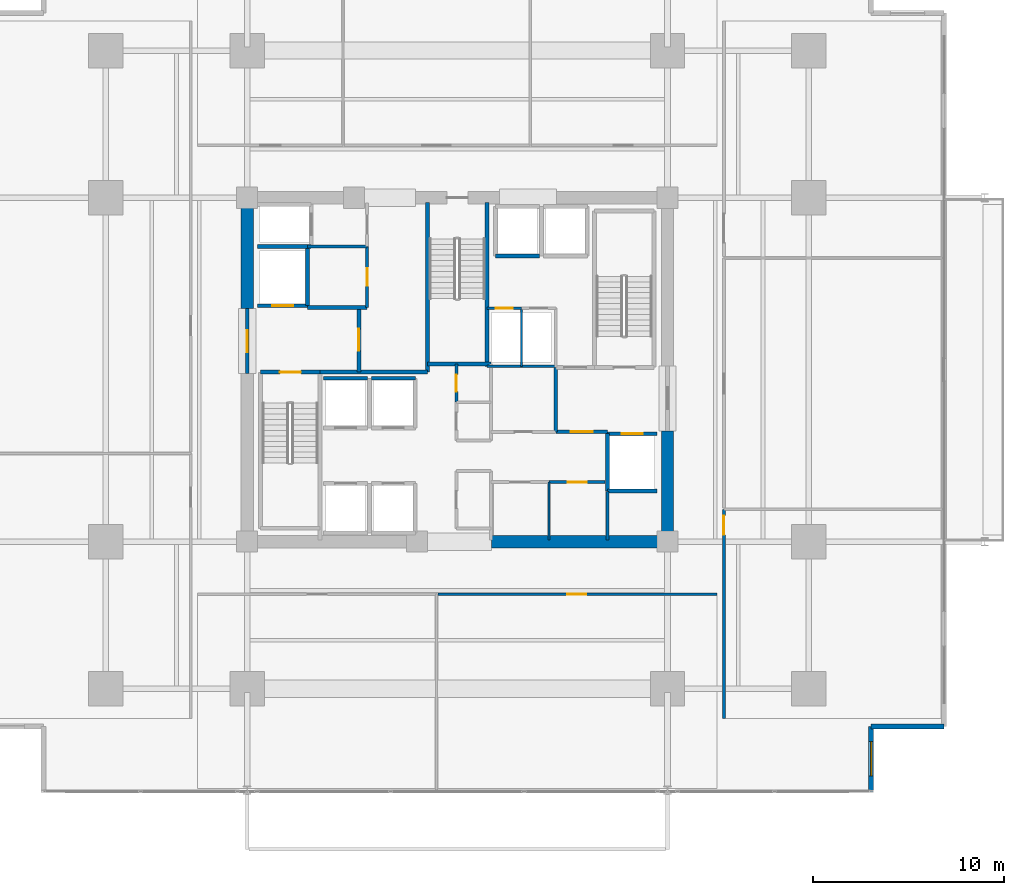
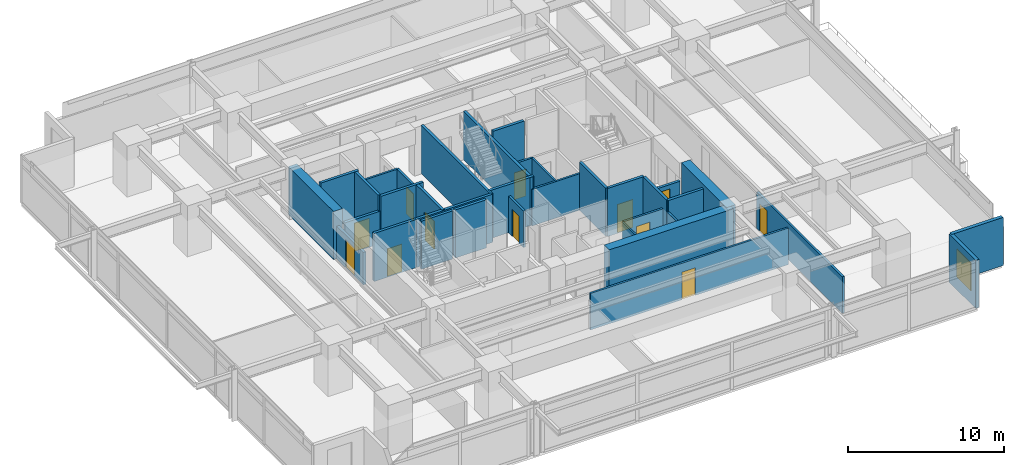
# One storey, part 15 of 21: 35 walls, 12 doors, 1 window, 13 openings.
"""IFC4 building model written with IfcOpenShell, lengths in metres."""

from ifc_helpers import new_model, si_unit, direction, frame, frame_2d, origin, place, context, subcontext, project, spatial, rectangle, extrude, material, layer, layer_set, type_object, element, fill, save


model = new_model("IFC4")

# Units and contexts
model_context = context("Model", 3, precision=1e-05, world=origin(), true_north=direction((0.0, 1.0)))
body_context = subcontext(model_context, "Body", "Model", "MODEL_VIEW")
ifc_project = project(units=[si_unit("LENGTHUNIT", "METRE"), si_unit("AREAUNIT", "SQUARE_METRE"), si_unit("VOLUMEUNIT", "CUBIC_METRE"), si_unit("PLANEANGLEUNIT", "RADIAN"), si_unit("MASSUNIT", "GRAM", prefix="KILO")], contexts=[model_context])

# Site, building, storey
site_placement = place(None, origin())
site = spatial("IfcSite", under=ifc_project, at=site_placement, CompositionType="ELEMENT")
building_placement = place(site_placement, origin())
building = spatial("IfcBuilding", under=site, at=building_placement, Name="Kovane Verandah Tower", CompositionType="ELEMENT")
storey_placement = place(building_placement, frame((0.0, 0.0, 47.60009765625)))
storey = spatial("IfcBuildingStorey", under=building, at=storey_placement, Name="L10", CompositionType="ELEMENT", Elevation=47.60009765625)

# Wall, opening, door
ifc_material_1 = material(Name="Fire-Rated Gypsum Stud Partition", Category="gypsum")
ifc_layer_1 = layer(ifc_material_1, 0.14990234375)
ifc_layer_set_1 = layer_set([ifc_layer_1], Name="Fire-Rated Gypsum Stud Partition")
wall_type_1 = type_object("IfcWallType", Name="WL-COR-150", PredefinedType="PARTITIONING", material=ifc_layer_set_1)
wall_1_placement = place(storey_placement, frame((39.949951171875, 25.800048828125, 0.0), z_axis=(0.0, 0.0, 1.0), x_axis=(0.0, 1.0, 0.0)))
wall_1 = element("IfcWall", 1, at=wall_1_placement, inside=storey, type_object=wall_type_1, Name="L10 Electrical Riser Room Partition", PredefinedType="PARTITIONING", context=body_context, shape_type="SweptSolid", body=[
    extrude(rectangle(XDim=2.0, YDim=0.14990234375, at=frame_2d((1.0, 0.0))), origin(), (0.0, 0.0, 1.0), 2.849853515625),
])
opening_1_placement = place(wall_1_placement, frame((0.56005859375, 0.0, 0.0)))
opening_1 = element("IfcOpeningElement", 2, at=opening_1_placement, cuts=wall_1, Name="Opening DR-L10-025", PredefinedType="OPENING", context=body_context, shape_type="SweptSolid", body=[
    extrude(rectangle(XDim=0.8798828125, YDim=2.10009765625, at=frame_2d((0.43994140625, 1.050048828125))), frame((0.0, 0.074951171875, 0.0), z_axis=(0.0, -1.0, 0.0), x_axis=(1.0, 0.0, 0.0)), (0.0, 0.0, 1.0), 0.14990234375),
])
ifc_material_2 = material(Name="Fire-Rated Steel Riser Access Door", Category="steel")
door_type_1 = type_object("IfcDoorType", Name="DR-RISER-880", OperationType="SINGLE_SWING_LEFT", PredefinedType="DOOR", material=ifc_material_2)
door_1_placement = place(opening_1_placement, origin())
door_1 = element("IfcDoor", 3, at=door_1_placement, inside=storey, type_object=door_type_1, Name="L10 Electrical Riser Room Door", OperationType="SINGLE_SWING_RIGHT", OverallHeight=2.10009765625, OverallWidth=0.8798828125, PredefinedType="DOOR", context=body_context, shape_type="SweptSolid", body=[
    extrude(rectangle(XDim=0.8798828125, YDim=2.10009765625, at=frame_2d((0.43994140625, 1.050048828125))), frame((0.0, 0.02490234375, 0.0), z_axis=(0.0, -1.0, 0.0), x_axis=(1.0, 0.0, 0.0)), (0.0, 0.0, 1.0), 0.050048828125),
])
fill(opening_1, door_1)

# Wall
wall_2_placement = place(storey_placement, frame((32.14990234375, 33.949951171875, 0.0), z_axis=(0.0, 0.0, 1.0), x_axis=(1.0, 0.0, 0.0)))
element("IfcWall", 4, at=wall_2_placement, inside=storey, type_object=wall_type_1, Name="L10 Goods Lift Lobby South Wall", PredefinedType="PARTITIONING", context=body_context, shape_type="SweptSolid", body=[
    extrude(rectangle(XDim=3.130126953125, YDim=0.14990234375, at=frame_2d((1.56494140625, 0.0))), origin(), (0.0, 0.0, 1.0), 2.849853515625),
])

# Wall, opening, door
wall_3_placement = place(storey_placement, frame((35.280029296875, 30.75, 0.0), z_axis=(0.0, 0.0, 1.0), x_axis=(0.0, 1.0, 0.0)))
wall_3 = element("IfcWall", 5, at=wall_3_placement, inside=storey, type_object=wall_type_1, Name="L10 Accessible Unisex Toilet Partition", PredefinedType="PARTITIONING", context=body_context, shape_type="SweptSolid", body=[
    extrude(rectangle(XDim=3.199951171875, YDim=0.14990234375, at=frame_2d((1.60009765625, 0.0))), origin(), (0.0, 0.0, 1.0), 2.849853515625),
])
opening_2_placement = place(wall_3_placement, frame((1.14990234375, 0.0, 0.0)))
opening_2 = element("IfcOpeningElement", 6, at=opening_2_placement, cuts=wall_3, Name="Opening DR-L10-026", PredefinedType="OPENING", context=body_context, shape_type="SweptSolid", body=[
    extrude(rectangle(XDim=0.89990234375, YDim=2.10009765625, at=frame_2d((0.449951171875, 1.050048828125))), frame((0.0, 0.074951171875, 0.0), z_axis=(0.0, -1.0, 0.0), x_axis=(1.0, 0.0, 0.0)), (0.0, 0.0, 1.0), 0.14990234375),
])
ifc_material_3 = material(Name="Moisture-Resistant Laminate Washroom Door", Category="wood")
door_type_2 = type_object("IfcDoorType", Name="DR-WC-900", OperationType="SINGLE_SWING_LEFT", PredefinedType="DOOR", material=ifc_material_3)
door_2_placement = place(opening_2_placement, origin())
door_2 = element("IfcDoor", 7, at=door_2_placement, inside=storey, type_object=door_type_2, Name="L10 Accessible Unisex Toilet Door", OperationType="SINGLE_SWING_RIGHT", OverallHeight=2.10009765625, OverallWidth=0.89990234375, PredefinedType="DOOR", context=body_context, shape_type="SweptSolid", body=[
    extrude(rectangle(XDim=0.89990234375, YDim=2.10009765625, at=frame_2d((0.449951171875, 1.050048828125))), frame((0.0, 0.02490234375, 0.0), z_axis=(0.0, -1.0, 0.0), x_axis=(1.0, 0.0, 0.0)), (0.0, 0.0, 1.0), 0.050048828125),
])
fill(opening_2, door_2)

# Walls
wall_4_placement = place(storey_placement, frame((41.56005859375, 27.679931640625, 0.0), z_axis=(0.0, 0.0, 1.0), x_axis=(1.0, 0.0, 0.0)))
element("IfcWall", 8, at=wall_4_placement, inside=storey, type_object=wall_type_1, Name="L10 East Core Service Riser South Wall", PredefinedType="PARTITIONING", context=body_context, shape_type="SweptSolid", body=[
    extrude(rectangle(XDim=3.58984375, YDim=0.14990234375, at=frame_2d((1.794921875, 0.0))), origin(), (0.0, 0.0, 1.0), 2.849853515625),
])
wall_5_placement = place(storey_placement, frame((47.85009765625, 18.60009765625, 0.0), z_axis=(0.0, 0.0, 1.0), x_axis=(0.0, 1.0, 0.0)))
element("IfcWall", 9, at=wall_5_placement, inside=storey, type_object=wall_type_1, Name="L10 East Core Support East Wall", PredefinedType="PARTITIONING", context=body_context, shape_type="SweptSolid", body=[
    extrude(rectangle(XDim=2.539794921875, YDim=0.14990234375, at=frame_2d((1.27001953125, 0.0))), origin(), (0.0, 0.0, 1.0), 2.849853515625),
])

# Wall, opening, door
wall_6_placement = place(storey_placement, frame((44.800048828125, 21.6201171875, 0.0), z_axis=(0.0, 0.0, 1.0), x_axis=(1.0, 0.0, 0.0)))
wall_6 = element("IfcWall", 10, at=wall_6_placement, inside=storey, type_object=wall_type_1, Name="L10 East IT Server Room Partition", PredefinedType="PARTITIONING", context=body_context, shape_type="SweptSolid", body=[
    extrude(rectangle(XDim=2.93994140625, YDim=0.14990234375, at=frame_2d((1.469970703125, 0.0))), origin(), (0.0, 0.0, 1.0), 2.849853515625),
])
opening_3_placement = place(wall_6_placement, frame((0.969970703125, 0.0, 0.0)))
opening_3 = element("IfcOpeningElement", 11, at=opening_3_placement, cuts=wall_6, Name="Opening DR-L10-016", PredefinedType="OPENING", context=body_context, shape_type="SweptSolid", body=[
    extrude(rectangle(XDim=1.0, YDim=2.14990234375, at=frame_2d((0.5, 1.074951171875))), frame((0.0, 0.074951171875, 0.0), z_axis=(0.0, -1.0, 0.0), x_axis=(1.0, 0.0, 0.0)), (0.0, 0.0, 1.0), 0.14990234375),
])
ifc_material_4 = material(Name="FSC Spotted-Gum Timber Fire-Rated Office Door", Category="wood")
door_type_3 = type_object("IfcDoorType", Name="DR-OFF-1000", OperationType="SINGLE_SWING_LEFT", PredefinedType="DOOR", material=ifc_material_4)
door_3_placement = place(opening_3_placement, origin())
door_3 = element("IfcDoor", 12, at=door_3_placement, inside=storey, type_object=door_type_3, Name="L10 East IT Server Room Door", OperationType="SINGLE_SWING_RIGHT", OverallHeight=2.14990234375, OverallWidth=1.0, PredefinedType="DOOR", context=body_context, shape_type="SweptSolid", body=[
    extrude(rectangle(XDim=1.0, YDim=2.14990234375, at=frame_2d((0.5, 1.074951171875))), frame((0.0, 0.02490234375, 0.0), z_axis=(0.0, -1.0, 0.0), x_axis=(1.0, 0.0, 0.0)), (0.0, 0.0, 1.0), 0.050048828125),
])
fill(opening_3, door_3)

wall_7_placement = place(storey_placement, frame((41.56005859375, 30.719970703125, 0.0), z_axis=(0.0, 0.0, 1.0), x_axis=(1.0, 0.0, 0.0)))
wall_7 = element("IfcWall", 13, at=wall_7_placement, inside=storey, type_object=wall_type_1, Name="L10 Chilled Water Riser Room Partition", PredefinedType="PARTITIONING", context=body_context, shape_type="SweptSolid", body=[
    extrude(rectangle(XDim=1.800048828125, YDim=0.14990234375, at=frame_2d((0.89990234375, 0.0))), origin(), (0.0, 0.0, 1.0), 2.849853515625),
])
opening_4_placement = place(wall_7_placement, frame((0.4599609375, 0.0, 0.0)))
opening_4 = element("IfcOpeningElement", 14, at=opening_4_placement, cuts=wall_7, Name="Opening DR-L10-018", PredefinedType="OPENING", context=body_context, shape_type="SweptSolid", body=[
    extrude(rectangle(XDim=0.8798828125, YDim=2.10009765625, at=frame_2d((0.43994140625, 1.050048828125))), frame((0.0, 0.074951171875, 0.0), z_axis=(0.0, -1.0, 0.0), x_axis=(1.0, 0.0, 0.0)), (0.0, 0.0, 1.0), 0.14990234375),
])
door_4_placement = place(opening_4_placement, origin())
door_4 = element("IfcDoor", 15, at=door_4_placement, inside=storey, type_object=door_type_1, Name="L10 Chilled Water Riser Room Door", OperationType="SINGLE_SWING_RIGHT", OverallHeight=2.10009765625, OverallWidth=0.8798828125, PredefinedType="DOOR", context=body_context, shape_type="SweptSolid", body=[
    extrude(rectangle(XDim=0.8798828125, YDim=2.10009765625, at=frame_2d((0.43994140625, 1.050048828125))), frame((0.0, 0.02490234375, 0.0), z_axis=(0.0, -1.0, 0.0), x_axis=(1.0, 0.0, 0.0)), (0.0, 0.0, 1.0), 0.050048828125),
])
fill(opening_4, door_4)

wall_8_placement = place(storey_placement, frame((38.98193359375, 15.75, 0.0), z_axis=(0.0, 0.0, 1.0), x_axis=(1.0, 0.0, 0.0)))
wall_8 = element("IfcWall", 16, at=wall_8_placement, inside=storey, type_object=wall_type_1, Name="L10 Breakout Pantry S2 Corridor Partition", PredefinedType="PARTITIONING", context=body_context, shape_type="SweptSolid", body=[
    extrude(rectangle(XDim=14.6181640625, YDim=0.14990234375, at=frame_2d((7.30908203125, 0.0))), origin(), (0.0, 0.0, 1.0), 2.849853515625),
])
opening_5_placement = place(wall_8_placement, frame((6.759033203125, 0.0, 0.0)))
opening_5 = element("IfcOpeningElement", 17, at=opening_5_placement, cuts=wall_8, Name="Opening DR-L10-024", PredefinedType="OPENING", context=body_context, shape_type="SweptSolid", body=[
    extrude(rectangle(XDim=1.0, YDim=2.14990234375, at=frame_2d((0.5, 1.074951171875))), frame((0.0, 0.074951171875, 0.0), z_axis=(0.0, -1.0, 0.0), x_axis=(1.0, 0.0, 0.0)), (0.0, 0.0, 1.0), 0.14990234375),
])
door_5_placement = place(opening_5_placement, origin())
door_5 = element("IfcDoor", 18, at=door_5_placement, inside=storey, type_object=door_type_3, Name="L10 Breakout Pantry S2 Entrance Door", OperationType="SINGLE_SWING_RIGHT", OverallHeight=2.14990234375, OverallWidth=1.0, PredefinedType="DOOR", context=body_context, shape_type="SweptSolid", body=[
    extrude(rectangle(XDim=1.0, YDim=2.14990234375, at=frame_2d((0.5, 1.074951171875))), frame((0.0, 0.02490234375, 0.0), z_axis=(0.0, -1.0, 0.0), x_axis=(1.0, 0.0, 0.0)), (0.0, 0.0, 1.0), 0.050048828125),
])
fill(opening_5, door_5)

wall_9_placement = place(storey_placement, frame((53.949951171875, 9.23876953125, 0.0), z_axis=(0.0, 0.0, 1.0), x_axis=(0.0, 1.0, 0.0)))
wall_9 = element("IfcWall", 19, at=wall_9_placement, inside=storey, type_object=wall_type_1, Name="L10 Open Plan Office E1 Corridor Partition", PredefinedType="PARTITIONING", context=body_context, shape_type="SweptSolid", body=[
    extrude(rectangle(XDim=10.956787109375, YDim=0.14990234375, at=frame_2d((5.478515625, 0.0))), origin(), (0.0, 0.0, 1.0), 2.849853515625),
])
opening_6_placement = place(wall_9_placement, frame((9.6240234375, 0.0, 0.0)))
opening_6 = element("IfcOpeningElement", 20, at=opening_6_placement, cuts=wall_9, Name="Opening DR-L10-012", PredefinedType="OPENING", context=body_context, shape_type="SweptSolid", body=[
    extrude(rectangle(XDim=1.0, YDim=2.14990234375, at=frame_2d((0.5, 1.074951171875))), frame((0.0, 0.074951171875, 0.0), z_axis=(0.0, -1.0, 0.0), x_axis=(1.0, 0.0, 0.0)), (0.0, 0.0, 1.0), 0.14990234375),
])
door_6_placement = place(opening_6_placement, origin())
door_6 = element("IfcDoor", 21, at=door_6_placement, inside=storey, type_object=door_type_3, Name="L10 Open Plan Office E1 Entrance Door", OperationType="SINGLE_SWING_LEFT", OverallHeight=2.14990234375, OverallWidth=1.0, PredefinedType="DOOR", context=body_context, shape_type="SweptSolid", body=[
    extrude(rectangle(XDim=1.0, YDim=2.14990234375, at=frame_2d((0.5, 1.074951171875))), frame((0.0, 0.02490234375, 0.0), z_axis=(0.0, -1.0, 0.0), x_axis=(1.0, 0.0, 0.0)), (0.0, 0.0, 1.0), 0.050048828125),
])
fill(opening_6, door_6)

# Walls
ifc_material_5 = material(Name="Concrete C80/95", Category="concrete")
ifc_layer_2 = layer(ifc_material_5, 0.64990234375)
ifc_layer_set_2 = layer_set([ifc_layer_2], Name="Concrete C80/95")
wall_type_2 = type_object("IfcWallType", Name="WL-CORE-650", PredefinedType="SHEAR", material=ifc_layer_set_2)
wall_10_placement = place(storey_placement, frame((41.800048828125, 18.5, 0.0), z_axis=(0.0, 0.0, 1.0), x_axis=(1.0, 0.0, 0.0)))
element("IfcWall", 22, at=wall_10_placement, inside=storey, type_object=wall_type_2, Name="L10 Core Shear Wall CS-2", PredefinedType="SHEAR", context=body_context, shape_type="SweptSolid", body=[
    extrude(rectangle(XDim=9.199951171875, YDim=0.64990234375, at=frame_2d((4.60009765625, 0.0))), origin(), (0.0, 0.0, 1.0), 3.760009765625),
])
for number, where, z_axis, x_axis, name in (
    (23, (29.0, 30.699951171875, 0.0), (0.0, 0.0, 1.0), (0.0, 1.0, 0.0), "L10 Core Shear Wall CW-2"),
    (24, (51.0, 18.5, 0.0), (0.0, 0.0, 1.0), (0.0, 1.0, 0.0), "L10 Core Shear Wall CE-1"),
):
    element("IfcWall", number, at=place(storey_placement, frame(where, z_axis=z_axis, x_axis=x_axis)), inside=storey, type_object=wall_type_2, Name=name, PredefinedType="SHEAR", context=body_context, shape_type="SweptSolid", body=[
        extrude(rectangle(XDim=5.800048828125, YDim=0.64990234375, at=frame_2d((2.89990234375, 0.0))), origin(), (0.0, 0.0, 1.0), 3.760009765625),
    ])

# Wall, opening, door
ifc_material_6 = material(Name="Concrete C45/55 Fire Wall", Category="concrete")
ifc_layer_3 = layer(ifc_material_6, 0.199951171875)
ifc_layer_set_3 = layer_set([ifc_layer_3], Name="Concrete C45/55 Fire Wall")
wall_type_3 = type_object("IfcWallType", Name="WL-FFL-200", PredefinedType="PARTITIONING", material=ifc_layer_set_3)
wall_11_placement = place(storey_placement, frame((34.85009765625, 27.3798828125, 0.0), z_axis=(0.0, 0.0, 1.0), x_axis=(0.0, 1.0, 0.0)))
wall_11 = element("IfcWall", 25, at=wall_11_placement, inside=storey, type_object=wall_type_3, Name="W-L10-FFLW-E", PredefinedType="PARTITIONING", context=body_context, shape_type="SweptSolid", body=[
    extrude(rectangle(XDim=3.3701171875, YDim=0.199951171875, at=frame_2d((1.68505859375, 0.0))), origin(), (0.0, 0.0, 1.0), 3.760009765625),
])
opening_7_placement = place(wall_11_placement, frame((1.110107421875, 0.0, 0.0)))
opening_7 = element("IfcOpeningElement", 26, at=opening_7_placement, cuts=wall_11, Name="Opening DR-L10-006", PredefinedType="OPENING", context=body_context, shape_type="SweptSolid", body=[
    extrude(rectangle(XDim=1.14990234375, YDim=2.199951171875, at=frame_2d((0.574951171875, 1.10009765625))), frame((0.0, 0.10009765625, 0.0), z_axis=(0.0, -1.0, 0.0), x_axis=(1.0, 0.0, 0.0)), (0.0, 0.0, 1.0), 0.199951171875),
])
ifc_material_7 = material(Name="Smoke-Sealed Firefighting Lobby Door", Category="steel")
door_type_4 = type_object("IfcDoorType", Name="DR-FFL-1150", OperationType="SINGLE_SWING_LEFT", PredefinedType="DOOR", material=ifc_material_7)
door_7_placement = place(opening_7_placement, origin())
door_7 = element("IfcDoor", 27, at=door_7_placement, inside=storey, type_object=door_type_4, Name="L10 West Firefighting Lobby Inner Door", OperationType="SINGLE_SWING_LEFT", OverallHeight=2.199951171875, OverallWidth=1.14990234375, PredefinedType="DOOR", context=body_context, shape_type="SweptSolid", body=[
    extrude(rectangle(XDim=1.14990234375, YDim=2.199951171875, at=frame_2d((0.574951171875, 1.10009765625))), frame((0.0, 0.02490234375, 0.0), z_axis=(0.0, -1.0, 0.0), x_axis=(1.0, 0.0, 0.0)), (0.0, 0.0, 1.0), 0.050048828125),
])
fill(opening_7, door_7)

wall_12_placement = place(storey_placement, frame((29.0, 27.300048828125, 0.0), z_axis=(0.0, 0.0, 1.0), x_axis=(0.0, 1.0, 0.0)))
wall_12 = element("IfcWall", 28, at=wall_12_placement, inside=storey, type_object=wall_type_3, Name="W-L10-FFLW-OUT", PredefinedType="PARTITIONING", context=body_context, shape_type="SweptSolid", body=[
    extrude(rectangle(XDim=3.39990234375, YDim=0.199951171875, at=frame_2d((1.699951171875, 0.0))), origin(), (0.0, 0.0, 1.0), 2.539794921875),
])
opening_8_placement = place(wall_12_placement, frame((1.125, 0.0, 0.0)))
opening_8 = element("IfcOpeningElement", 29, at=opening_8_placement, cuts=wall_12, Name="Opening DR-L10-007", PredefinedType="OPENING", context=body_context, shape_type="SweptSolid", body=[
    extrude(rectangle(XDim=1.14990234375, YDim=2.199951171875, at=frame_2d((0.574951171875, 1.10009765625))), frame((0.0, 0.10009765625, 0.0), z_axis=(0.0, -1.0, 0.0), x_axis=(1.0, 0.0, 0.0)), (0.0, 0.0, 1.0), 0.199951171875),
])
door_8_placement = place(opening_8_placement, origin())
door_8 = element("IfcDoor", 30, at=door_8_placement, inside=storey, type_object=door_type_4, Name="L10 West Firefighting Lobby Corridor Door", OperationType="SINGLE_SWING_RIGHT", OverallHeight=2.199951171875, OverallWidth=1.14990234375, PredefinedType="DOOR", context=body_context, shape_type="SweptSolid", body=[
    extrude(rectangle(XDim=1.14990234375, YDim=2.199951171875, at=frame_2d((0.574951171875, 1.10009765625))), frame((0.0, 0.02490234375, 0.0), z_axis=(0.0, -1.0, 0.0), x_axis=(1.0, 0.0, 0.0)), (0.0, 0.0, 1.0), 0.050048828125),
])
fill(opening_8, door_8)

# Walls
wall_13_placement = place(storey_placement, frame((32.820068359375, 27.3798828125, 0.0), z_axis=(0.0, 0.0, 1.0), x_axis=(1.0, 0.0, 0.0)))
element("IfcWall", 31, at=wall_13_placement, inside=storey, type_object=wall_type_3, Name="L10 West Firefighting Lobby South Fire Wall", PredefinedType="PARTITIONING", context=body_context, shape_type="SweptSolid", body=[
    extrude(rectangle(XDim=5.619873046875, YDim=0.199951171875, at=frame_2d((2.81005859375, 0.0))), origin(), (0.0, 0.0, 1.0), 3.760009765625),
])
wall_14_placement = place(storey_placement, frame((32.14990234375, 30.75, 0.0), z_axis=(0.0, 0.0, 1.0), x_axis=(1.0, 0.0, 0.0)))
element("IfcWall", 32, at=wall_14_placement, inside=storey, type_object=wall_type_3, Name="L10 West Firefighting Lobby North Fire Wall", PredefinedType="PARTITIONING", context=body_context, shape_type="SweptSolid", body=[
    extrude(rectangle(XDim=3.130126953125, YDim=0.199951171875, at=frame_2d((1.56494140625, 0.0))), origin(), (0.0, 0.0, 1.0), 3.760009765625),
])
wall_15_placement = place(storey_placement, frame((45.14990234375, 24.25, 0.0), z_axis=(0.0, 0.0, 1.0), x_axis=(0.0, 1.0, 0.0)))
element("IfcWall", 33, at=wall_15_placement, inside=storey, type_object=wall_type_3, Name="L10 East Firefighting Lobby West Fire Wall", PredefinedType="PARTITIONING", context=body_context, shape_type="SweptSolid", body=[
    extrude(rectangle(XDim=3.3701171875, YDim=0.199951171875, at=frame_2d((1.68505859375, 0.0))), origin(), (0.0, 0.0, 1.0), 3.760009765625),
])

# Wall, opening, door
wall_16_placement = place(storey_placement, frame((45.14990234375, 24.25, 0.0), z_axis=(0.0, 0.0, 1.0), x_axis=(1.0, 0.0, 0.0)))
wall_16 = element("IfcWall", 34, at=wall_16_placement, inside=storey, type_object=wall_type_3, Name="W-L10-FFLE-S", PredefinedType="PARTITIONING", context=body_context, shape_type="SweptSolid", body=[
    extrude(rectangle(XDim=2.7001953125, YDim=0.199951171875, at=frame_2d((1.35009765625, 0.0))), origin(), (0.0, 0.0, 1.0), 3.760009765625),
])
opening_9_placement = place(wall_16_placement, frame((0.77490234375, 0.0, 0.0)))
opening_9 = element("IfcOpeningElement", 35, at=opening_9_placement, cuts=wall_16, Name="Opening DR-L10-003", PredefinedType="OPENING", context=body_context, shape_type="SweptSolid", body=[
    extrude(rectangle(XDim=1.14990234375, YDim=2.199951171875, at=frame_2d((0.574951171875, 1.10009765625))), frame((0.0, 0.10009765625, 0.0), z_axis=(0.0, -1.0, 0.0), x_axis=(1.0, 0.0, 0.0)), (0.0, 0.0, 1.0), 0.199951171875),
])
door_9_placement = place(opening_9_placement, origin())
door_9 = element("IfcDoor", 36, at=door_9_placement, inside=storey, type_object=door_type_4, Name="L10 East Firefighting Lobby Inner Door", OperationType="SINGLE_SWING_RIGHT", OverallHeight=2.199951171875, OverallWidth=1.14990234375, PredefinedType="DOOR", context=body_context, shape_type="SweptSolid", body=[
    extrude(rectangle(XDim=1.14990234375, YDim=2.199951171875, at=frame_2d((0.574951171875, 1.10009765625))), frame((0.0, 0.02490234375, 0.0), z_axis=(0.0, -1.0, 0.0), x_axis=(1.0, 0.0, 0.0)), (0.0, 0.0, 1.0), 0.050048828125),
])
fill(opening_9, door_9)

ifc_material_8 = material(Name="Concrete C45/55 Lift Shaft Wall", Category="concrete")
ifc_layer_4 = layer(ifc_material_8, 0.199951171875)
ifc_layer_set_4 = layer_set([ifc_layer_4], Name="Concrete C45/55 Lift Shaft Wall")
wall_type_4 = type_object("IfcWallType", Name="WL-LIFT-200", PredefinedType="SOLIDWALL", material=ifc_layer_set_4)
wall_17_placement = place(storey_placement, frame((29.550048828125, 30.85009765625, 0.0), z_axis=(0.0, 0.0, 1.0), x_axis=(1.0, 0.0, 0.0)))
wall_17 = element("IfcWall", 37, at=wall_17_placement, inside=storey, type_object=wall_type_4, Name="L10 Lift FL-01 S Shaft Wall", PredefinedType="SOLIDWALL", context=body_context, shape_type="SweptSolid", body=[
    extrude(rectangle(XDim=2.599853515625, YDim=0.199951171875, at=frame_2d((1.2998046875, 0.0))), origin(), (0.0, 0.0, 1.0), 2.539794921875),
])
opening_10_placement = place(wall_17_placement, frame((0.75, 0.0, 0.0)))
opening_10 = element("IfcOpeningElement", 38, at=opening_10_placement, cuts=wall_17, Name="Opening LD-L10-001", PredefinedType="OPENING", context=body_context, shape_type="SweptSolid", body=[
    extrude(rectangle(XDim=1.10009765625, YDim=2.199951171875, at=frame_2d((0.550048828125, 1.10009765625))), frame((0.0, 0.10009765625, 0.0), z_axis=(0.0, -1.0, 0.0), x_axis=(1.0, 0.0, 0.0)), (0.0, 0.0, 1.0), 0.199951171875),
])
ifc_material_9 = material(Name="Brushed Stainless Steel Sliding Lift Landing Door", Category="steel")
door_type_5 = type_object("IfcDoorType", Name="DR-LIFT-1100", OperationType="SLIDING_TO_RIGHT", PredefinedType="DOOR", material=ifc_material_9)
door_10_placement = place(opening_10_placement, origin())
door_10 = element("IfcDoor", 39, at=door_10_placement, inside=storey, type_object=door_type_5, Name="L10 Lift FL-01 Sliding Landing Door", OperationType="SLIDING_TO_RIGHT", OverallHeight=2.199951171875, OverallWidth=1.10009765625, PredefinedType="DOOR", context=body_context, shape_type="SweptSolid", body=[
    extrude(rectangle(XDim=1.10009765625, YDim=2.199951171875, at=frame_2d((0.550048828125, 1.10009765625))), frame((0.0, 0.02490234375, 0.0), z_axis=(0.0, -1.0, 0.0), x_axis=(1.0, 0.0, 0.0)), (0.0, 0.0, 1.0), 0.050048828125),
])
fill(opening_10, door_10)

# Walls
wall_18_placement = place(storey_placement, frame((29.550048828125, 33.949951171875, 0.0), z_axis=(0.0, 0.0, 1.0), x_axis=(1.0, 0.0, 0.0)))
element("IfcWall", 40, at=wall_18_placement, inside=storey, type_object=wall_type_4, Name="L10 Lift FL-01 and GL-01 Shared Shaft Wall", PredefinedType="SOLIDWALL", context=body_context, shape_type="SweptSolid", body=[
    extrude(rectangle(XDim=2.800048828125, YDim=0.199951171875, at=frame_2d((1.39990234375, 0.0))), origin(), (0.0, 0.0, 1.0), 3.760009765625),
])
wall_19_placement = place(storey_placement, frame((32.14990234375, 30.85009765625, 0.0), z_axis=(0.0, 0.0, 1.0), x_axis=(0.0, 1.0, 0.0)))
element("IfcWall", 41, at=wall_19_placement, inside=storey, type_object=wall_type_4, Name="L10 Lift FL-01 E Shaft Wall", PredefinedType="SOLIDWALL", context=body_context, shape_type="SweptSolid", body=[
    extrude(rectangle(XDim=3.0, YDim=0.199951171875, at=frame_2d((1.5, 0.0))), origin(), (0.0, 0.0, 1.0), 3.760009765625),
])
wall_20_placement = place(storey_placement, frame((47.85009765625, 21.14990234375, 0.0), z_axis=(0.0, 0.0, 1.0), x_axis=(1.0, 0.0, 0.0)))
element("IfcWall", 42, at=wall_20_placement, inside=storey, type_object=wall_type_4, Name="L10 Lift FL-02 S Shaft Wall", PredefinedType="SOLIDWALL", context=body_context, shape_type="SweptSolid", body=[
    extrude(rectangle(XDim=2.599853515625, YDim=0.199951171875, at=frame_2d((1.2998046875, 0.0))), origin(), (0.0, 0.0, 1.0), 3.760009765625),
])

# Wall, opening, door
wall_21_placement = place(storey_placement, frame((50.449951171875, 24.14990234375, 0.0), z_axis=(0.0, 0.0, 1.0), x_axis=(-1.0, 0.0, 0.0)))
wall_21 = element("IfcWall", 43, at=wall_21_placement, inside=storey, type_object=wall_type_4, Name="L10 Lift FL-02 N Shaft Wall", PredefinedType="SOLIDWALL", context=body_context, shape_type="SweptSolid", body=[
    extrude(rectangle(XDim=2.599853515625, YDim=0.199951171875, at=frame_2d((1.2998046875, 0.0))), origin(), (0.0, 0.0, 1.0), 2.539794921875),
])
opening_11_placement = place(wall_21_placement, frame((0.75, 0.0, 0.0)))
opening_11 = element("IfcOpeningElement", 44, at=opening_11_placement, cuts=wall_21, Name="Opening LD-L10-002", PredefinedType="OPENING", context=body_context, shape_type="SweptSolid", body=[
    extrude(rectangle(XDim=1.10009765625, YDim=2.199951171875, at=frame_2d((0.550048828125, 1.10009765625))), frame((0.0, 0.10009765625, 0.0), z_axis=(0.0, -1.0, 0.0), x_axis=(1.0, 0.0, 0.0)), (0.0, 0.0, 1.0), 0.199951171875),
])
door_11_placement = place(opening_11_placement, origin())
door_11 = element("IfcDoor", 45, at=door_11_placement, inside=storey, type_object=door_type_5, Name="L10 Lift FL-02 Sliding Landing Door", OperationType="SLIDING_TO_RIGHT", OverallHeight=2.199951171875, OverallWidth=1.10009765625, PredefinedType="DOOR", context=body_context, shape_type="SweptSolid", body=[
    extrude(rectangle(XDim=1.10009765625, YDim=2.199951171875, at=frame_2d((0.550048828125, 1.10009765625))), frame((0.0, 0.02490234375, 0.0), z_axis=(0.0, -1.0, 0.0), x_axis=(1.0, 0.0, 0.0)), (0.0, 0.0, 1.0), 0.050048828125),
])
fill(opening_11, door_11)

# Walls
wall_22_placement = place(storey_placement, frame((47.85009765625, 24.14990234375, 0.0), z_axis=(0.0, 0.0, 1.0), x_axis=(0.0, -1.0, 0.0)))
element("IfcWall", 46, at=wall_22_placement, inside=storey, type_object=wall_type_4, Name="L10 Lift FL-02 W Shaft Wall", PredefinedType="SOLIDWALL", context=body_context, shape_type="SweptSolid", body=[
    extrude(rectangle(XDim=3.0, YDim=0.199951171875, at=frame_2d((1.5, 0.0))), origin(), (0.0, 0.0, 1.0), 3.760009765625),
])
for number, where, z_axis, x_axis, name in (
    (47, (35.300048828125, 27.050048828125, 0.0), (0.0, 0.0, 1.0), (-1.0, 0.0, 0.0), "L10 Lift PL-L3 N Shaft Wall"),
    (48, (37.800048828125, 27.050048828125, 0.0), (0.0, 0.0, 1.0), (-1.0, 0.0, 0.0), "L10 Lift PL-L4 N Shaft Wall"),
    (49, (42.0, 33.449951171875, 0.0), (0.0, 0.0, 1.0), (1.0, 0.0, 0.0), "L10 Lift SL-01 S Shaft Wall"),
):
    element("IfcWall", number, at=place(storey_placement, frame(where, z_axis=z_axis, x_axis=x_axis)), inside=storey, type_object=wall_type_4, Name=name, PredefinedType="SOLIDWALL", context=body_context, shape_type="SweptSolid", body=[
        extrude(rectangle(XDim=2.300048828125, YDim=0.199951171875, at=frame_2d((1.14990234375, 0.0))), origin(), (0.0, 0.0, 1.0), 3.760009765625),
    ])
ifc_material_10 = material(Name="Acoustic Fire-Rated Gypsum Partition", Category="gypsum")
ifc_layer_5 = layer(ifc_material_10, 0.1201171875)
ifc_layer_set_5 = layer_set([ifc_layer_5], Name="Acoustic Fire-Rated Gypsum Partition")
wall_type_5 = type_object("IfcWallType", Name="WL-PART-120", PredefinedType="PARTITIONING", material=ifc_layer_set_5)
wall_23_placement = place(storey_placement, frame((44.800048828125, 18.60009765625, 0.0), z_axis=(0.0, 0.0, 1.0), x_axis=(0.0, 1.0, 0.0)))
element("IfcWall", 50, at=wall_23_placement, inside=storey, type_object=wall_type_5, Name="L10 East Core Support Dividing Partition", PredefinedType="PARTITIONING", context=body_context, shape_type="SweptSolid", body=[
    extrude(rectangle(XDim=3.02001953125, YDim=0.1201171875, at=frame_2d((1.510009765625, 0.0))), origin(), (0.0, 0.0, 1.0), 2.849853515625),
])
wall_24_placement = place(storey_placement, frame((43.360107421875, 27.679931640625, 0.0), z_axis=(0.0, 0.0, 1.0), x_axis=(0.0, 1.0, 0.0)))
element("IfcWall", 51, at=wall_24_placement, inside=storey, type_object=wall_type_5, Name="L10 Service Riser Dividing Partition", PredefinedType="PARTITIONING", context=body_context, shape_type="SweptSolid", body=[
    extrude(rectangle(XDim=3.0400390625, YDim=0.1201171875, at=frame_2d((1.52001953125, 0.0))), origin(), (0.0, 0.0, 1.0), 2.849853515625),
])

# Wall, opening, door
ifc_material_11 = material(Name="Concrete C45/55", Category="concrete")
ifc_layer_6 = layer(ifc_material_11, 0.199951171875)
ifc_layer_set_6 = layer_set([ifc_layer_6], Name="Concrete C45/55")
wall_type_6 = type_object("IfcWallType", Name="WL-SHAFT-200", PredefinedType="SOLIDWALL", material=ifc_layer_set_6)
wall_25_placement = place(storey_placement, frame((29.699951171875, 27.3798828125, 0.0), z_axis=(0.0, 0.0, 1.0), x_axis=(1.0, 0.0, 0.0)))
wall_25 = element("IfcWall", 52, at=wall_25_placement, inside=storey, type_object=wall_type_6, Name="W-L10-ST01-N", PredefinedType="SOLIDWALL", context=body_context, shape_type="SweptSolid", body=[
    extrude(rectangle(XDim=3.1201171875, YDim=0.199951171875, at=frame_2d((1.56005859375, 0.0))), origin(), (0.0, 0.0, 1.0), 3.760009765625),
])
opening_12_placement = place(wall_25_placement, frame((1.010009765625, 0.0, 0.0)))
opening_12 = element("IfcOpeningElement", 53, at=opening_12_placement, cuts=wall_25, Name="Opening DR-L10-009", PredefinedType="OPENING", context=body_context, shape_type="SweptSolid", body=[
    extrude(rectangle(XDim=1.10009765625, YDim=2.14990234375, at=frame_2d((0.550048828125, 1.074951171875))), frame((0.0, 0.10009765625, 0.0), z_axis=(0.0, -1.0, 0.0), x_axis=(1.0, 0.0, 0.0)), (0.0, 0.0, 1.0), 0.199951171875),
])
ifc_material_12 = material(Name="Fire-Rated Steel Exit Door", Category="steel")
door_type_6 = type_object("IfcDoorType", Name="DR-STAIR-1100", OperationType="SINGLE_SWING_LEFT", PredefinedType="DOOR", material=ifc_material_12)
door_12_placement = place(opening_12_placement, origin())
door_12 = element("IfcDoor", 54, at=door_12_placement, inside=storey, type_object=door_type_6, Name="L10 ST-01 Fire Exit Stair Door", OperationType="SINGLE_SWING_LEFT", OverallHeight=2.14990234375, OverallWidth=1.10009765625, PredefinedType="DOOR", context=body_context, shape_type="SweptSolid", body=[
    extrude(rectangle(XDim=1.10009765625, YDim=2.14990234375, at=frame_2d((0.550048828125, 1.074951171875))), frame((0.0, 0.02490234375, 0.0), z_axis=(0.0, -1.0, 0.0), x_axis=(1.0, 0.0, 0.0)), (0.0, 0.0, 1.0), 0.050048828125),
])
fill(opening_12, door_12)

# Walls
wall_26_placement = place(storey_placement, frame((38.43994140625, 27.3798828125, 0.0), z_axis=(0.0, 0.0, 1.0), x_axis=(0.0, 1.0, 0.0)))
element("IfcWall", 55, at=wall_26_placement, inside=storey, type_object=wall_type_6, Name="W-L10-ST03-W", PredefinedType="SOLIDWALL", context=body_context, shape_type="SweptSolid", body=[
    extrude(rectangle(XDim=8.8701171875, YDim=0.199951171875, at=frame_2d((4.43505859375, 0.0))), origin(), (0.0, 0.0, 1.0), 3.760009765625),
])
wall_27_placement = place(storey_placement, frame((41.56005859375, 27.679931640625, 0.0), z_axis=(0.0, 0.0, 1.0), x_axis=(0.0, 1.0, 0.0)))
element("IfcWall", 56, at=wall_27_placement, inside=storey, type_object=wall_type_6, Name="W-L10-ST03-E", PredefinedType="SOLIDWALL", context=body_context, shape_type="SweptSolid", body=[
    extrude(rectangle(XDim=8.570068359375, YDim=0.199951171875, at=frame_2d((4.28515625, 0.0))), origin(), (0.0, 0.0, 1.0), 3.760009765625),
])
wall_28_placement = place(storey_placement, frame((38.43994140625, 27.800048828125, 0.0), z_axis=(0.0, 0.0, 1.0), x_axis=(1.0, 0.0, 0.0)))
element("IfcWall", 57, at=wall_28_placement, inside=storey, type_object=wall_type_6, Name="W-L10-ST03-S", PredefinedType="SOLIDWALL", context=body_context, shape_type="SweptSolid", body=[
    extrude(rectangle(XDim=3.320068359375, YDim=0.199951171875, at=frame_2d((1.66015625, 0.0))), origin(), (0.0, 0.0, 1.0), 3.760009765625),
])

# Wall, opening, window
ifc_material_13 = material(Name="Concrete C45/55 Insulated Spandrel Wall", Category="concrete")
ifc_layer_7 = layer(ifc_material_13, 0.260009765625)
ifc_layer_set_7 = layer_set([ifc_layer_7], Name="Concrete C45/55 Insulated Spandrel Wall")
wall_type_7 = type_object("IfcWallType", Name="WL-SPANDREL-260", PredefinedType="PARAPET", material=ifc_layer_set_7)
wall_29_placement = place(storey_placement, frame((61.658935546875, 5.438720703125, 0.0), z_axis=(0.0, 0.0, 1.0), x_axis=(0.0, 1.0, 0.0)))
wall_29 = element("IfcWall", 58, at=wall_29_placement, inside=storey, type_object=wall_type_7, Name="L10 SE Notch Cheek Wall 1", PredefinedType="PARAPET", context=body_context, shape_type="SweptSolid", body=[
    extrude(rectangle(XDim=3.39990234375, YDim=0.260009765625, at=frame_2d((1.699951171875, 0.0))), origin(), (0.0, 0.0, 1.0), 3.760009765625),
])
opening_13_placement = place(wall_29_placement, frame((0.800048828125, 0.0, 0.85009765625)))
opening_13 = element("IfcOpeningElement", 59, at=opening_13_placement, cuts=wall_29, Name="Opening W-03", PredefinedType="OPENING", context=body_context, shape_type="SweptSolid", body=[
    extrude(rectangle(XDim=1.800048828125, YDim=2.199951171875, at=frame_2d((0.89990234375, 1.10009765625))), frame((0.0, 0.1298828125, 0.0), z_axis=(0.0, -1.0, 0.0), x_axis=(1.0, 0.0, 0.0)), (0.0, 0.0, 1.0), 0.260009765625),
])
ifc_material_14 = material(Name="Clear Low-E Laminated Double Glazing in Anodised Frame", Category="glass")
window_type = type_object("IfcWindowType", Name="WN-NOTCH-1800x2200", PartitioningType="SINGLE_PANEL", PredefinedType="WINDOW", material=ifc_material_14)
window_placement = place(opening_13_placement, origin())
window = element("IfcWindow", 60, at=window_placement, inside=storey, type_object=window_type, Name="L10 SE Re-Entrant Corner Operable Window", OverallHeight=2.199951171875, OverallWidth=1.800048828125, PartitioningType="SINGLE_PANEL", PredefinedType="WINDOW", context=body_context, shape_type="SweptSolid", body=[
    extrude(rectangle(XDim=1.800048828125, YDim=2.199951171875, at=frame_2d((0.89990234375, 1.10009765625))), frame((0.0, 0.030029296875, 0.0), z_axis=(0.0, -1.0, 0.0), x_axis=(1.0, 0.0, 0.0)), (0.0, 0.0, 1.0), 0.06005859375),
])
fill(opening_13, window)

# Wall
wall_30_placement = place(storey_placement, frame((61.658935546875, 8.838623046875, 0.0), z_axis=(0.0, 0.0, 1.0), x_axis=(1.0, 0.0, 0.0)))
element("IfcWall", 61, at=wall_30_placement, inside=storey, type_object=wall_type_7, Name="L10 SE Notch Cheek Wall 2", PredefinedType="PARAPET", context=body_context, shape_type="SweptSolid", body=[
    extrude(rectangle(XDim=3.800048828125, YDim=0.260009765625, at=frame_2d((1.89990234375, 0.0))), origin(), (0.0, 0.0, 1.0), 3.760009765625),
])

save(model, "model.ifc")
